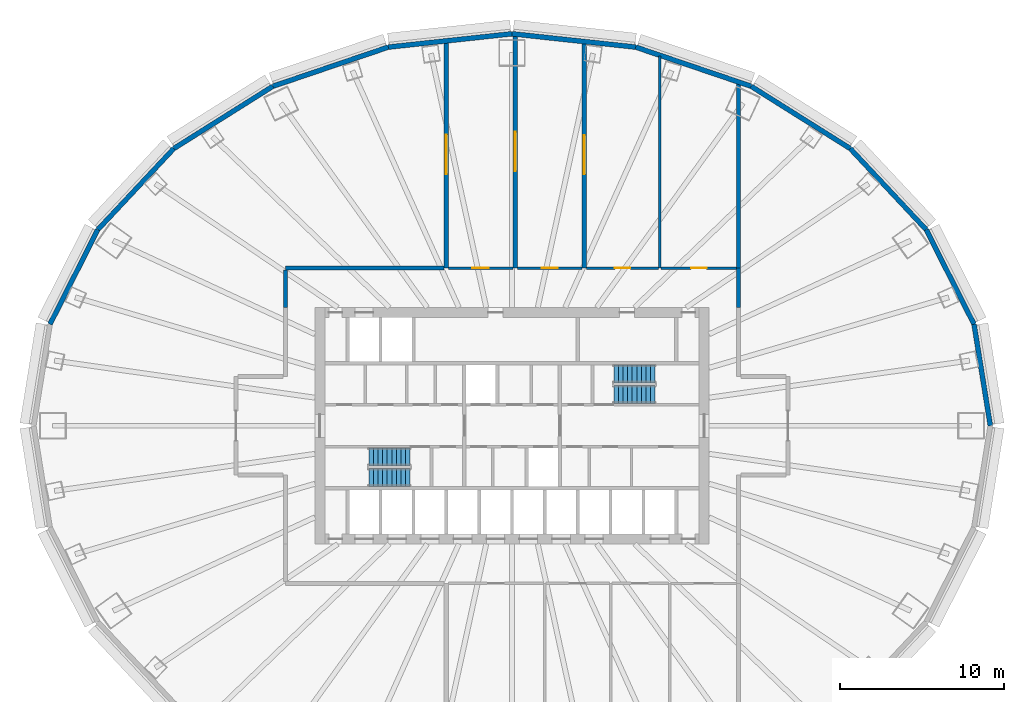
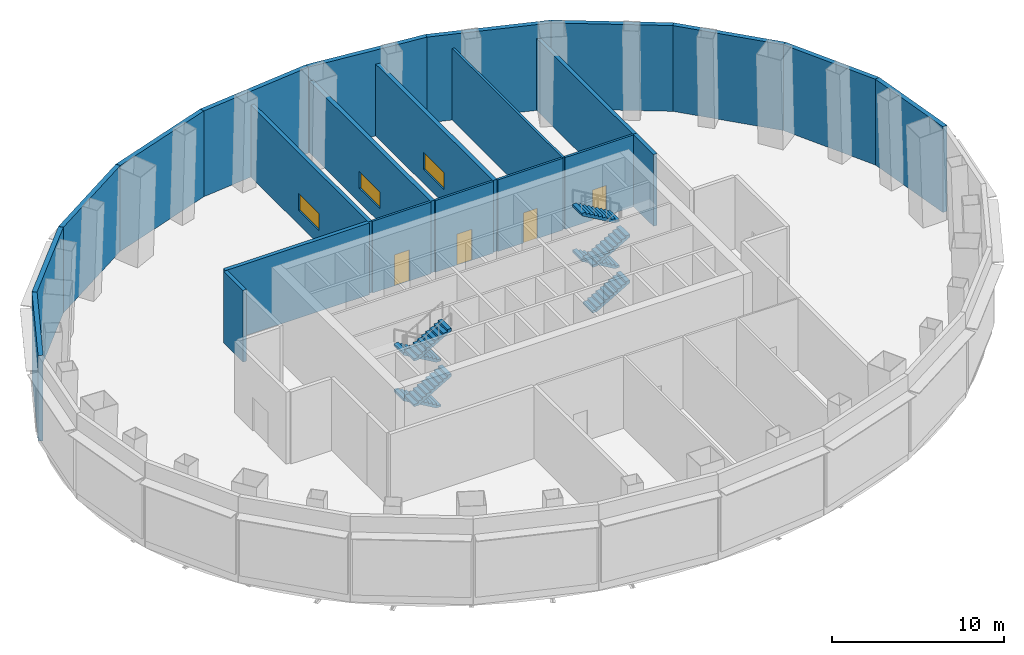
# One storey, part 5 of 9: 23 walls, 8 stair flights, 4 doors, 3 windows, 7 openings, 2 elements without a shape of their own.
"""IFC4 building model written with IfcOpenShell, lengths in metres."""

from ifc_helpers import new_model, si_unit, direction, frame, frame_2d, origin, place, context, subcontext, project, spatial, polyline, rectangle, outline, extrude, material, layer, layer_set, type_object, element, fill, aggregate, save


model = new_model("IFC4")

# Units and contexts
model_context = context("Model", 3, precision=1e-05, world=origin(), true_north=direction((0.0, 1.0)))
body_context = subcontext(model_context, "Body", "Model", "MODEL_VIEW")
ifc_project = project(units=[si_unit("LENGTHUNIT", "METRE"), si_unit("AREAUNIT", "SQUARE_METRE"), si_unit("VOLUMEUNIT", "CUBIC_METRE"), si_unit("PLANEANGLEUNIT", "RADIAN"), si_unit("MASSUNIT", "GRAM", prefix="KILO")], contexts=[model_context])

# Site, building, storey
site_placement = place(None, origin())
site = spatial("IfcSite", under=ifc_project, at=site_placement, CompositionType="ELEMENT")
building_placement = place(site_placement, origin())
building = spatial("IfcBuilding", under=site, at=building_placement, Name="Siaravel Broadcast Tower", CompositionType="ELEMENT")
storey_placement = place(building_placement, frame((0.0, 0.0, 13.5)))
storey = spatial("IfcBuildingStorey", under=building, at=storey_placement, Name="L02", CompositionType="ELEMENT", Elevation=13.5)

# Wall, opening, window
ifc_material_1 = material(Name="Double-leaf acoustic partition", Category="gypsum")
ifc_layer_1 = layer(ifc_material_1, 0.280029296875)
ifc_layer_set_1 = layer_set([ifc_layer_1], Name="Double-leaf acoustic partition")
wall_type_1 = type_object("IfcWallType", Name="Acoustic double-leaf wall 280", PredefinedType="PARTITIONING", material=ifc_layer_set_1)
wall_1_placement = place(storey_placement, frame((0.199951171875, 9.60009765625, 0.0), z_axis=(0.0, 0.0, 1.0), x_axis=(0.0, 1.0, 0.0)))
wall_1 = element("IfcWall", 1, at=wall_1_placement, inside=storey, type_object=wall_type_1, Name="L02 partition 1", PredefinedType="PARTITIONING", context=body_context, shape_type="SweptSolid", body=[
    extrude(rectangle(XDim=14.194091796875, YDim=0.280029296875, at=frame_2d((7.09716796875, 0.0))), origin(), (0.0, 0.0, 1.0), 5.10009765625),
])
opening_1_placement = place(wall_1_placement, frame((5.897216796875, 0.0, 1.0)))
opening_1 = element("IfcOpeningElement", 2, at=opening_1_placement, cuts=wall_1, Name="Opening L02-W01", PredefinedType="OPENING", context=body_context, shape_type="SweptSolid", body=[
    extrude(rectangle(XDim=2.39990234375, YDim=1.199951171875, at=frame_2d((1.199951171875, 0.60009765625))), frame((0.0, 0.14990234375, 0.0), z_axis=(0.0, -1.0, 0.0), x_axis=(1.0, 0.0, 0.0)), (0.0, 0.0, 1.0), 0.300048828125),
])
ifc_material_2 = material(Name="Laminated acoustic glass", Category="glass")
window_type = type_object("IfcWindowType", Name="Control room window 2400", PartitioningType="DOUBLE_PANEL_VERTICAL", PredefinedType="WINDOW", material=ifc_material_2)
window_1_placement = place(opening_1_placement, origin())
window_1 = element("IfcWindow", 3, at=window_1_placement, inside=storey, type_object=window_type, Name="L02 observation window 1", OverallHeight=1.199951171875, OverallWidth=2.39990234375, PartitioningType="SINGLE_PANEL", PredefinedType="WINDOW", context=body_context, shape_type="SweptSolid", body=[
    extrude(rectangle(XDim=2.39990234375, YDim=1.199951171875, at=frame_2d((1.199951171875, 0.60009765625))), frame((0.0, 0.030029296875, 0.0), z_axis=(0.0, -1.0, 0.0), x_axis=(1.0, 0.0, 0.0)), (0.0, 0.0, 1.0), 0.06005859375),
])
fill(opening_1, window_1)

wall_2_placement = place(storey_placement, frame((4.39990234375, 9.60009765625, 0.0), z_axis=(0.0, 0.0, 1.0), x_axis=(0.0, 1.0, 0.0)))
wall_2 = element("IfcWall", 4, at=wall_2_placement, inside=storey, type_object=wall_type_1, Name="L02 partition 5", PredefinedType="PARTITIONING", context=body_context, shape_type="SweptSolid", body=[
    extrude(rectangle(XDim=13.80322265625, YDim=0.280029296875, at=frame_2d((6.901611328125, 0.0))), origin(), (0.0, 0.0, 1.0), 5.10009765625),
])
opening_2_placement = place(wall_2_placement, frame((5.70166015625, 0.0, 1.0)))
opening_2 = element("IfcOpeningElement", 5, at=opening_2_placement, cuts=wall_2, Name="Opening L02-W03", PredefinedType="OPENING", context=body_context, shape_type="SweptSolid", body=[
    extrude(rectangle(XDim=2.39990234375, YDim=1.199951171875, at=frame_2d((1.199951171875, 0.60009765625))), frame((0.0, 0.14990234375, 0.0), z_axis=(0.0, -1.0, 0.0), x_axis=(1.0, 0.0, 0.0)), (0.0, 0.0, 1.0), 0.300048828125),
])
window_2_placement = place(opening_2_placement, origin())
window_2 = element("IfcWindow", 6, at=window_2_placement, inside=storey, type_object=window_type, Name="L02 observation window 3", OverallHeight=1.199951171875, OverallWidth=2.39990234375, PartitioningType="SINGLE_PANEL", PredefinedType="WINDOW", context=body_context, shape_type="SweptSolid", body=[
    extrude(rectangle(XDim=2.39990234375, YDim=1.199951171875, at=frame_2d((1.199951171875, 0.60009765625))), frame((0.0, 0.030029296875, 0.0), z_axis=(0.0, -1.0, 0.0), x_axis=(1.0, 0.0, 0.0)), (0.0, 0.0, 1.0), 0.06005859375),
])
fill(opening_2, window_2)

# Walls
ifc_material_3 = material(Name="Concrete C40/50", Category="concrete")
ifc_layer_2 = layer(ifc_material_3, 0.300048828125)
ifc_layer_set_2 = layer_set([ifc_layer_2], Name="Concrete C40/50")
wall_type_2 = type_object("IfcWallType", Name="Acoustic studio wall", PredefinedType="STANDARD", material=ifc_layer_set_2)
wall_3_placement = place(storey_placement, frame((29.125, 0.0, 0.0), z_axis=(0.0, 0.0, 1.0), x_axis=(-0.158684207, 0.987329389, 0.0)))
element("IfcWall", 7, at=wall_3_placement, inside=storey, type_object=wall_type_2, Name="L02 studio acoustic wall 01", PredefinedType="STANDARD", context=body_context, shape_type="SweptSolid", body=[
    extrude(rectangle(XDim=6.2587890625, YDim=0.300048828125, at=frame_2d((3.12939453125, 0.0))), origin(), (0.0, 0.0, 1.0), 6.10009765625),
])
wall_4_placement = place(storey_placement, frame((28.1318359375, 6.179443359375, 0.0), z_axis=(0.0, 0.0, 1.0), x_axis=(-0.45123552, 0.8924049, 0.0)))
element("IfcWall", 8, at=wall_4_placement, inside=storey, type_object=wall_type_2, Name="L02 studio acoustic wall 02", PredefinedType="STANDARD", context=body_context, shape_type="SweptSolid", body=[
    extrude(rectangle(XDim=6.451416015625, YDim=0.300048828125, at=frame_2d((3.2255859375, 0.0))), origin(), (0.0, 0.0, 1.0), 6.10009765625),
])
wall_5_placement = place(storey_placement, frame((25.220703125, 11.936767578125, 0.0), z_axis=(0.0, 0.0, 1.0), x_axis=(-0.683676058, 0.729785617, 0.0)))
element("IfcWall", 9, at=wall_5_placement, inside=storey, type_object=wall_type_2, Name="L02 studio acoustic wall 03", PredefinedType="STANDARD", context=body_context, shape_type="SweptSolid", body=[
    extrude(rectangle(XDim=6.77197265625, YDim=0.300048828125, at=frame_2d((3.385986328125, 0.0))), origin(), (0.0, 0.0, 1.0), 6.10009765625),
])
wall_6_placement = place(storey_placement, frame((20.5908203125, 16.87890625, 0.0), z_axis=(0.0, 0.0, 1.0), x_axis=(-0.846653753, 0.532144175, 0.0)))
element("IfcWall", 10, at=wall_6_placement, inside=storey, type_object=wall_type_2, Name="L02 studio acoustic wall 04", PredefinedType="STANDARD", context=body_context, shape_type="SweptSolid", body=[
    extrude(rectangle(XDim=7.12451171875, YDim=0.300048828125, at=frame_2d((3.562255859375, 0.0))), origin(), (0.0, 0.0, 1.0), 6.10009765625),
])
wall_7_placement = place(storey_placement, frame((14.558837890625, 20.670166015625, 0.0), z_axis=(0.0, 0.0, 1.0), x_axis=(-0.946977627, 0.321299508, 0.0)))
element("IfcWall", 11, at=wall_7_placement, inside=storey, type_object=wall_type_2, Name="L02 studio acoustic wall 05", PredefinedType="STANDARD", context=body_context, shape_type="SweptSolid", body=[
    extrude(rectangle(XDim=7.416259765625, YDim=0.300048828125, at=frame_2d((3.7080078125, 0.0))), origin(), (0.0, 0.0, 1.0), 6.10009765625),
])
for number, where, z_axis, x_axis, name in (
    (12, (7.535888671875, 23.052978515625, 0.0), (0.0, 0.0, 1.0), (-0.994234458, 0.107227995, 0.0), "L02 studio acoustic wall 06"),
    (13, (0.0, 23.86572265625, 0.0), (0.0, 0.0, 1.0), (-0.994234458, -0.107227995, 0.0), "L02 studio acoustic wall 07"),
):
    element("IfcWall", number, at=place(storey_placement, frame(where, z_axis=z_axis, x_axis=x_axis)), inside=storey, type_object=wall_type_2, Name=name, PredefinedType="STANDARD", context=body_context, shape_type="SweptSolid", body=[
        extrude(rectangle(XDim=7.57958984375, YDim=0.300048828125, at=frame_2d((3.789794921875, 0.0))), origin(), (0.0, 0.0, 1.0), 6.10009765625),
    ])
wall_8_placement = place(storey_placement, frame((-7.535888671875, 23.052978515625, 0.0), z_axis=(0.0, 0.0, 1.0), x_axis=(-0.946977627, -0.321299508, 0.0)))
element("IfcWall", 14, at=wall_8_placement, inside=storey, type_object=wall_type_2, Name="L02 studio acoustic wall 08", PredefinedType="STANDARD", context=body_context, shape_type="SweptSolid", body=[
    extrude(rectangle(XDim=7.416259765625, YDim=0.300048828125, at=frame_2d((3.7080078125, 0.0))), origin(), (0.0, 0.0, 1.0), 6.10009765625),
])
wall_9_placement = place(storey_placement, frame((-14.558837890625, 20.670166015625, 0.0), z_axis=(0.0, 0.0, 1.0), x_axis=(-0.846653753, -0.532144175, 0.0)))
element("IfcWall", 15, at=wall_9_placement, inside=storey, type_object=wall_type_2, Name="L02 studio acoustic wall 09", PredefinedType="STANDARD", context=body_context, shape_type="SweptSolid", body=[
    extrude(rectangle(XDim=7.12451171875, YDim=0.300048828125, at=frame_2d((3.562255859375, 0.0))), origin(), (0.0, 0.0, 1.0), 6.10009765625),
])
wall_10_placement = place(storey_placement, frame((-20.5908203125, 16.87890625, 0.0), z_axis=(0.0, 0.0, 1.0), x_axis=(-0.683676058, -0.729785617, 0.0)))
element("IfcWall", 16, at=wall_10_placement, inside=storey, type_object=wall_type_2, Name="L02 studio acoustic wall 10", PredefinedType="STANDARD", context=body_context, shape_type="SweptSolid", body=[
    extrude(rectangle(XDim=6.77197265625, YDim=0.300048828125, at=frame_2d((3.385986328125, 0.0))), origin(), (0.0, 0.0, 1.0), 6.10009765625),
])
wall_11_placement = place(storey_placement, frame((-25.220703125, 11.936767578125, 0.0), z_axis=(0.0, 0.0, 1.0), x_axis=(-0.45123552, -0.8924049, 0.0)))
element("IfcWall", 17, at=wall_11_placement, inside=storey, type_object=wall_type_2, Name="L02 studio acoustic wall 11", PredefinedType="STANDARD", context=body_context, shape_type="SweptSolid", body=[
    extrude(rectangle(XDim=6.451416015625, YDim=0.300048828125, at=frame_2d((3.2255859375, 0.0))), origin(), (0.0, 0.0, 1.0), 6.10009765625),
])

# Wall, opening, door
ifc_material_4 = material(Name="Gypsum board partition", Category="gypsum")
ifc_layer_3 = layer(ifc_material_4, 0.14990234375)
ifc_layer_set_3 = layer_set([ifc_layer_3], Name="Gypsum board partition")
wall_type_3 = type_object("IfcWallType", Name="Corridor wall 150", PredefinedType="PARTITIONING", material=ifc_layer_set_3)
wall_12_placement = place(storey_placement, frame((13.673095703125, 9.60009765625, 0.0), z_axis=(0.0, 0.0, 1.0), x_axis=(-1.0, 0.0, 0.0)))
wall_12 = element("IfcWall", 18, at=wall_12_placement, inside=storey, type_object=wall_type_3, Name="L02 partition 16", PredefinedType="PARTITIONING", context=body_context, shape_type="SweptSolid", body=[
    extrude(rectangle(XDim=4.59619140625, YDim=0.14990234375, at=frame_2d((2.298095703125, 0.0))), origin(), (0.0, 0.0, 1.0), 5.10009765625),
])
opening_3_placement = place(wall_12_placement, frame((1.822998046875, 0.0, 0.0)))
opening_3 = element("IfcOpeningElement", 19, at=opening_3_placement, cuts=wall_12, Name="Opening L02-004", PredefinedType="OPENING", context=body_context, shape_type="SweptSolid", body=[
    extrude(rectangle(XDim=0.949951171875, YDim=2.14990234375, at=frame_2d((0.47509765625, 1.074951171875))), frame((0.0, 0.0849609375, 0.0), z_axis=(0.0, -1.0, 0.0), x_axis=(1.0, 0.0, 0.0)), (0.0, 0.0, 1.0), 0.169921875),
])
ifc_material_5 = material(Name="Timber veneer", Category="wood")
door_type_1 = type_object("IfcDoorType", Name="Office door 950", OperationType="SINGLE_SWING_LEFT", PredefinedType="DOOR", material=ifc_material_5)
door_1_placement = place(opening_3_placement, origin())
door_1 = element("IfcDoor", 20, at=door_1_placement, inside=storey, type_object=door_type_1, Name="L02 door to Production office", OperationType="SINGLE_SWING_RIGHT", OverallHeight=2.14990234375, OverallWidth=0.949951171875, PredefinedType="DOOR", context=body_context, shape_type="SweptSolid", body=[
    extrude(rectangle(XDim=0.949951171875, YDim=2.14990234375, at=frame_2d((0.47509765625, 1.074951171875))), frame((0.0, 0.02490234375, 0.0), z_axis=(0.0, -1.0, 0.0), x_axis=(1.0, 0.0, 0.0)), (0.0, 0.0, 1.0), 0.050048828125),
])
fill(opening_3, door_1)

wall_13_placement = place(storey_placement, frame((8.923095703125, 9.60009765625, 0.0), z_axis=(0.0, 0.0, 1.0), x_axis=(-1.0, 0.0, 0.0)))
wall_13 = element("IfcWall", 21, at=wall_13_placement, inside=storey, type_object=wall_type_3, Name="L02 partition 17", PredefinedType="PARTITIONING", context=body_context, shape_type="SweptSolid", body=[
    extrude(rectangle(XDim=4.381103515625, YDim=0.14990234375, at=frame_2d((2.1904296875, 0.0))), origin(), (0.0, 0.0, 1.0), 5.10009765625),
])
opening_4_placement = place(wall_13_placement, frame((1.715576171875, 0.0, 0.0)))
opening_4 = element("IfcOpeningElement", 22, at=opening_4_placement, cuts=wall_13, Name="Opening L02-003", PredefinedType="OPENING", context=body_context, shape_type="SweptSolid", body=[
    extrude(rectangle(XDim=0.949951171875, YDim=2.14990234375, at=frame_2d((0.47509765625, 1.074951171875))), frame((0.0, 0.0849609375, 0.0), z_axis=(0.0, -1.0, 0.0), x_axis=(1.0, 0.0, 0.0)), (0.0, 0.0, 1.0), 0.169921875),
])
door_2_placement = place(opening_4_placement, origin())
door_2 = element("IfcDoor", 23, at=door_2_placement, inside=storey, type_object=door_type_1, Name="L02 door to Production office", OperationType="SINGLE_SWING_LEFT", OverallHeight=2.14990234375, OverallWidth=0.949951171875, PredefinedType="DOOR", context=body_context, shape_type="SweptSolid", body=[
    extrude(rectangle(XDim=0.949951171875, YDim=2.14990234375, at=frame_2d((0.47509765625, 1.074951171875))), frame((0.0, 0.02490234375, 0.0), z_axis=(0.0, -1.0, 0.0), x_axis=(1.0, 0.0, 0.0)), (0.0, 0.0, 1.0), 0.050048828125),
])
fill(opening_4, door_2)

wall_14_placement = place(storey_placement, frame((0.05810546875, 9.60009765625, 0.0), z_axis=(0.0, 0.0, 1.0), x_axis=(-1.0, 0.0, 0.0)))
wall_14 = element("IfcWall", 24, at=wall_14_placement, inside=storey, type_object=wall_type_3, Name="L02 partition 23", PredefinedType="PARTITIONING", context=body_context, shape_type="SweptSolid", body=[
    extrude(rectangle(XDim=3.93115234375, YDim=0.14990234375, at=frame_2d((1.965576171875, 0.0))), origin(), (0.0, 0.0, 1.0), 5.10009765625),
])
opening_5_placement = place(wall_14_placement, frame((1.465576171875, 0.0, 0.0)))
opening_5 = element("IfcOpeningElement", 25, at=opening_5_placement, cuts=wall_14, Name="Opening L02-001", PredefinedType="OPENING", context=body_context, shape_type="SweptSolid", body=[
    extrude(rectangle(XDim=1.0, YDim=2.199951171875, at=frame_2d((0.5, 1.10009765625))), frame((0.0, 0.0849609375, 0.0), z_axis=(0.0, -1.0, 0.0), x_axis=(1.0, 0.0, 0.0)), (0.0, 0.0, 1.0), 0.169921875),
])
ifc_material_6 = material(Name="Acoustic timber and steel", Category="steel")
door_type_2 = type_object("IfcDoorType", Name="Acoustic door 1000", OperationType="SINGLE_SWING_LEFT", PredefinedType="DOOR", material=ifc_material_6)
door_3_placement = place(opening_5_placement, origin())
door_3 = element("IfcDoor", 26, at=door_3_placement, inside=storey, type_object=door_type_2, Name="L02 door to Studio C control room", OperationType="SINGLE_SWING_LEFT", OverallHeight=2.199951171875, OverallWidth=1.0, PredefinedType="DOOR", context=body_context, shape_type="SweptSolid", body=[
    extrude(rectangle(XDim=1.0, YDim=2.199951171875, at=frame_2d((0.5, 1.10009765625))), frame((0.0, 0.02490234375, 0.0), z_axis=(0.0, -1.0, 0.0), x_axis=(1.0, 0.0, 0.0)), (0.0, 0.0, 1.0), 0.050048828125),
])
fill(opening_5, door_3)

wall_15_placement = place(storey_placement, frame((4.258056640625, 9.60009765625, 0.0), z_axis=(0.0, 0.0, 1.0), x_axis=(-1.0, 0.0, 0.0)))
wall_15 = element("IfcWall", 27, at=wall_15_placement, inside=storey, type_object=wall_type_3, Name="L02 partition 24", PredefinedType="PARTITIONING", context=body_context, shape_type="SweptSolid", body=[
    extrude(rectangle(XDim=3.916015625, YDim=0.14990234375, at=frame_2d((1.9580078125, 0.0))), origin(), (0.0, 0.0, 1.0), 5.10009765625),
])
opening_6_placement = place(wall_15_placement, frame((1.4580078125, 0.0, 0.0)))
opening_6 = element("IfcOpeningElement", 28, at=opening_6_placement, cuts=wall_15, Name="Opening L02-002", PredefinedType="OPENING", context=body_context, shape_type="SweptSolid", body=[
    extrude(rectangle(XDim=1.0, YDim=2.199951171875, at=frame_2d((0.5, 1.10009765625))), frame((0.0, 0.0849609375, 0.0), z_axis=(0.0, -1.0, 0.0), x_axis=(1.0, 0.0, 0.0)), (0.0, 0.0, 1.0), 0.169921875),
])
door_4_placement = place(opening_6_placement, origin())
door_4 = element("IfcDoor", 29, at=door_4_placement, inside=storey, type_object=door_type_2, Name="L02 door to Studio D control room", OperationType="SINGLE_SWING_RIGHT", OverallHeight=2.199951171875, OverallWidth=1.0, PredefinedType="DOOR", context=body_context, shape_type="SweptSolid", body=[
    extrude(rectangle(XDim=1.0, YDim=2.199951171875, at=frame_2d((0.5, 1.10009765625))), frame((0.0, 0.02490234375, 0.0), z_axis=(0.0, -1.0, 0.0), x_axis=(1.0, 0.0, 0.0)), (0.0, 0.0, 1.0), 0.050048828125),
])
fill(opening_6, door_4)

# Wall
ifc_layer_4 = layer(ifc_material_4, 0.14990234375)
ifc_layer_set_4 = layer_set([ifc_layer_4], Name="Gypsum board partition")
wall_type_4 = type_object("IfcWallType", Name="Room partition 150", PredefinedType="PARTITIONING", material=ifc_layer_set_4)
wall_16_placement = place(storey_placement, frame((9.0, 9.60009765625, 0.0), z_axis=(0.0, 0.0, 1.0), x_axis=(0.0, 1.0, 0.0)))
element("IfcWall", 30, at=wall_16_placement, inside=storey, type_object=wall_type_4, Name="L02 partition 7", PredefinedType="PARTITIONING", context=body_context, shape_type="SweptSolid", body=[
    extrude(rectangle(XDim=12.90625, YDim=0.14990234375, at=frame_2d((6.453125, 0.0))), origin(), (0.0, 0.0, 1.0), 5.10009765625),
])

# Wall, opening, window
ifc_material_7 = material(Name="Concrete blockwork", Category="masonry")
ifc_layer_5 = layer(ifc_material_7, 0.25)
ifc_layer_set_5 = layer_set([ifc_layer_5], Name="Concrete blockwork")
wall_type_5 = type_object("IfcWallType", Name="Studio wall 250", PredefinedType="PARTITIONING", material=ifc_layer_set_5)
wall_17_placement = place(storey_placement, frame((-4.0, 9.60009765625, 0.0), z_axis=(0.0, 0.0, 1.0), x_axis=(0.0, 1.0, 0.0)))
wall_17 = element("IfcWall", 31, at=wall_17_placement, inside=storey, type_object=wall_type_5, Name="L02 partition 4", PredefinedType="PARTITIONING", context=body_context, shape_type="SweptSolid", body=[
    extrude(rectangle(XDim=13.84619140625, YDim=0.25, at=frame_2d((6.923095703125, 0.0))), origin(), (0.0, 0.0, 1.0), 5.10009765625),
])
opening_7_placement = place(wall_17_placement, frame((5.72314453125, 0.0, 1.0)))
opening_7 = element("IfcOpeningElement", 32, at=opening_7_placement, cuts=wall_17, Name="Opening L02-W02", PredefinedType="OPENING", context=body_context, shape_type="SweptSolid", body=[
    extrude(rectangle(XDim=2.39990234375, YDim=1.199951171875, at=frame_2d((1.199951171875, 0.60009765625))), frame((0.0, 0.135009765625, 0.0), z_axis=(0.0, -1.0, 0.0), x_axis=(1.0, 0.0, 0.0)), (0.0, 0.0, 1.0), 0.27001953125),
])
window_3_placement = place(opening_7_placement, origin())
window_3 = element("IfcWindow", 33, at=window_3_placement, inside=storey, type_object=window_type, Name="L02 observation window 2", OverallHeight=1.199951171875, OverallWidth=2.39990234375, PartitioningType="SINGLE_PANEL", PredefinedType="WINDOW", context=body_context, shape_type="SweptSolid", body=[
    extrude(rectangle(XDim=2.39990234375, YDim=1.199951171875, at=frame_2d((1.199951171875, 0.60009765625))), frame((0.0, 0.030029296875, 0.0), z_axis=(0.0, -1.0, 0.0), x_axis=(1.0, 0.0, 0.0)), (0.0, 0.0, 1.0), 0.06005859375),
])
fill(opening_7, window_3)

# Walls
wall_18_placement = place(storey_placement, frame((13.800048828125, 20.877685546875, 0.0), z_axis=(0.0, 0.0, 1.0), x_axis=(0.0, -1.0, 0.0)))
element("IfcWall", 34, at=wall_18_placement, inside=storey, type_object=wall_type_5, Name="L02 partition 10", PredefinedType="PARTITIONING", context=body_context, shape_type="SweptSolid", body=[
    extrude(rectangle(XDim=11.277587890625, YDim=0.25, at=frame_2d((5.638671875, 0.0))), origin(), (0.0, 0.0, 1.0), 5.10009765625),
])
wall_19_placement = place(storey_placement, frame((-4.126953125, 9.60009765625, 0.0), z_axis=(0.0, 0.0, 1.0), x_axis=(-1.0, 0.0, 0.0)))
element("IfcWall", 35, at=wall_19_placement, inside=storey, type_object=wall_type_5, Name="L02 partition 12", PredefinedType="PARTITIONING", context=body_context, shape_type="SweptSolid", body=[
    extrude(rectangle(XDim=9.673095703125, YDim=0.25, at=frame_2d((4.83642578125, 0.0))), origin(), (0.0, 0.0, 1.0), 5.10009765625),
])
wall_20_placement = place(storey_placement, frame((13.800048828125, 7.212890625, 0.0), z_axis=(0.0, 0.0, 1.0), x_axis=(0.0, 1.0, 0.0)))
element("IfcWall", 36, at=wall_20_placement, inside=storey, type_object=wall_type_5, Name="L02 partition 32", PredefinedType="PARTITIONING", context=body_context, shape_type="SweptSolid", body=[
    extrude(rectangle(XDim=2.38623046875, YDim=0.25, at=frame_2d((1.193115234375, 0.0))), origin(), (0.0, 0.0, 1.0), 5.10009765625),
])
wall_21_placement = place(storey_placement, frame((-13.800048828125, 9.472900390625, 0.0), z_axis=(0.0, 0.0, 1.0), x_axis=(0.0, -1.0, 0.0)))
element("IfcWall", 37, at=wall_21_placement, inside=storey, type_object=wall_type_5, Name="L02 partition 34", PredefinedType="PARTITIONING", context=body_context, shape_type="SweptSolid", body=[
    extrude(rectangle(XDim=2.260009765625, YDim=0.25, at=frame_2d((1.1298828125, 0.0))), origin(), (0.0, 0.0, 1.0), 5.10009765625),
])

# Stair, stair flights
stair_type = type_object("IfcStairType", Name="Core exit stair", PredefinedType="HALF_TURN_STAIR", material=ifc_material_3)
stair_1_placement = place(storey_placement, origin())
stair_1 = element("IfcStair", 38, at=stair_1_placement, inside=storey, type_object=stair_type, Name="L02 Exit stair ST-1", PredefinedType="HALF_TURN_STAIR")
stair_flight_type = type_object("IfcStairFlightType", Name="Stair flight 1100", PredefinedType="STRAIGHT", material=ifc_material_3)
stair_flight_1_placement = place(storey_placement, frame((-6.199951171875, -1.89990234375, 0.0), z_axis=(0.0, 0.0, 1.0), x_axis=(-1.0, 0.0, 0.0)))
stair_flight_1 = element("IfcStairFlight", 39, at=stair_flight_1_placement, type_object=stair_flight_type, Name="ST-1 flight 1", NumberOfRisers=10, NumberOfTreads=9, PredefinedType="STRAIGHT", RiserHeight=0.1625, TreadLength=0.28, context=body_context, shape_type="SweptSolid", body=[
    extrude(outline(polyline([(0.0, 0.0), (0.0, 0.16259765625), (0.280029296875, 0.16259765625), (0.280029296875, 0.324951171875), (0.56005859375, 0.324951171875), (0.56005859375, 0.487548828125), (0.840087890625, 0.487548828125), (0.840087890625, 0.64990234375), (1.1201171875, 0.64990234375), (1.1201171875, 0.8125), (1.39990234375, 0.8125), (1.39990234375, 0.97509765625), (1.679931640625, 0.97509765625), (1.679931640625, 1.137451171875), (1.9599609375, 1.137451171875), (1.9599609375, 1.300048828125), (2.239990234375, 1.300048828125), (2.239990234375, 1.46240234375), (2.52001953125, 1.46240234375), (2.52001953125, 1.625), (2.52001953125, 1.2890625), (0.298583984375, 0.0), (0.0, 0.0)])), frame((0.0, 0.550048828125, 0.0), z_axis=(0.0, -1.0, 0.0), x_axis=(1.0, 0.0, 0.0)), (0.0, 0.0, 1.0), 1.10009765625),
])
stair_flight_2_placement = place(storey_placement, frame((-8.719970703125, -3.14990234375, 1.625), z_axis=(0.0, 0.0, 1.0), x_axis=(1.0, 0.0, 0.0)))
stair_flight_2 = element("IfcStairFlight", 40, at=stair_flight_2_placement, type_object=stair_flight_type, Name="ST-1 flight 2", NumberOfRisers=10, NumberOfTreads=9, PredefinedType="STRAIGHT", RiserHeight=0.1625, TreadLength=0.28, context=body_context, shape_type="SweptSolid", body=[
    extrude(outline(polyline([(0.0, 0.0), (0.0, 0.16259765625), (0.280029296875, 0.16259765625), (0.280029296875, 0.324951171875), (0.56005859375, 0.324951171875), (0.56005859375, 0.487548828125), (0.840087890625, 0.487548828125), (0.840087890625, 0.64990234375), (1.1201171875, 0.64990234375), (1.1201171875, 0.8125), (1.39990234375, 0.8125), (1.39990234375, 0.97509765625), (1.679931640625, 0.97509765625), (1.679931640625, 1.137451171875), (1.9599609375, 1.137451171875), (1.9599609375, 1.300048828125), (2.239990234375, 1.300048828125), (2.239990234375, 1.46240234375), (2.52001953125, 1.46240234375), (2.52001953125, 1.625), (2.52001953125, 1.2890625), (0.298583984375, 0.0), (0.0, 0.0)])), frame((0.0, 0.550048828125, 0.0), z_axis=(0.0, -1.0, 0.0), x_axis=(1.0, 0.0, 0.0)), (0.0, 0.0, 1.0), 1.10009765625),
])
stair_flight_3_placement = place(storey_placement, frame((-6.199951171875, -1.89990234375, 3.25), z_axis=(0.0, 0.0, 1.0), x_axis=(-1.0, 0.0, 0.0)))
stair_flight_3 = element("IfcStairFlight", 41, at=stair_flight_3_placement, type_object=stair_flight_type, Name="ST-1 flight 3", NumberOfRisers=10, NumberOfTreads=9, PredefinedType="STRAIGHT", RiserHeight=0.1625, TreadLength=0.28, context=body_context, shape_type="SweptSolid", body=[
    extrude(outline(polyline([(0.0, 0.0), (0.0, 0.16259765625), (0.280029296875, 0.16259765625), (0.280029296875, 0.324951171875), (0.56005859375, 0.324951171875), (0.56005859375, 0.487548828125), (0.840087890625, 0.487548828125), (0.840087890625, 0.64990234375), (1.1201171875, 0.64990234375), (1.1201171875, 0.8125), (1.39990234375, 0.8125), (1.39990234375, 0.97509765625), (1.679931640625, 0.97509765625), (1.679931640625, 1.137451171875), (1.9599609375, 1.137451171875), (1.9599609375, 1.300048828125), (2.239990234375, 1.300048828125), (2.239990234375, 1.46240234375), (2.52001953125, 1.46240234375), (2.52001953125, 1.625), (2.52001953125, 1.2890625), (0.298583984375, 0.0), (0.0, 0.0)])), frame((0.0, 0.550048828125, 0.0), z_axis=(0.0, -1.0, 0.0), x_axis=(1.0, 0.0, 0.0)), (0.0, 0.0, 1.0), 1.10009765625),
])
stair_flight_4_placement = place(storey_placement, frame((-8.719970703125, -3.14990234375, 4.875), z_axis=(0.0, 0.0, 1.0), x_axis=(1.0, 0.0, 0.0)))
stair_flight_4 = element("IfcStairFlight", 42, at=stair_flight_4_placement, type_object=stair_flight_type, Name="ST-1 flight 4", NumberOfRisers=10, NumberOfTreads=9, PredefinedType="STRAIGHT", RiserHeight=0.1625, TreadLength=0.28, context=body_context, shape_type="SweptSolid", body=[
    extrude(outline(polyline([(0.0, 0.0), (0.0, 0.16259765625), (0.280029296875, 0.16259765625), (0.280029296875, 0.324951171875), (0.56005859375, 0.324951171875), (0.56005859375, 0.487548828125), (0.840087890625, 0.487548828125), (0.840087890625, 0.64990234375), (1.1201171875, 0.64990234375), (1.1201171875, 0.8125), (1.39990234375, 0.8125), (1.39990234375, 0.97509765625), (1.679931640625, 0.97509765625), (1.679931640625, 1.137451171875), (1.9599609375, 1.137451171875), (1.9599609375, 1.300048828125), (2.239990234375, 1.300048828125), (2.239990234375, 1.46240234375), (2.52001953125, 1.46240234375), (2.52001953125, 1.625), (2.52001953125, 1.2890625), (0.298583984375, 0.0), (0.0, 0.0)])), frame((0.0, 0.550048828125, 0.0), z_axis=(0.0, -1.0, 0.0), x_axis=(1.0, 0.0, 0.0)), (0.0, 0.0, 1.0), 1.10009765625),
])
aggregate(stair_1, [stair_flight_1, stair_flight_2, stair_flight_3, stair_flight_4])

stair_2_placement = place(storey_placement, origin())
stair_2 = element("IfcStair", 43, at=stair_2_placement, inside=storey, type_object=stair_type, Name="L02 Exit stair ST-2", PredefinedType="HALF_TURN_STAIR")
stair_flight_5_placement = place(storey_placement, frame((6.199951171875, 1.89990234375, 0.0), z_axis=(0.0, 0.0, 1.0), x_axis=(1.0, 0.0, 0.0)))
stair_flight_5 = element("IfcStairFlight", 44, at=stair_flight_5_placement, type_object=stair_flight_type, Name="ST-2 flight 1", NumberOfRisers=10, NumberOfTreads=9, PredefinedType="STRAIGHT", RiserHeight=0.1625, TreadLength=0.28, context=body_context, shape_type="SweptSolid", body=[
    extrude(outline(polyline([(0.0, 0.0), (0.0, 0.16259765625), (0.280029296875, 0.16259765625), (0.280029296875, 0.324951171875), (0.56005859375, 0.324951171875), (0.56005859375, 0.487548828125), (0.840087890625, 0.487548828125), (0.840087890625, 0.64990234375), (1.1201171875, 0.64990234375), (1.1201171875, 0.8125), (1.39990234375, 0.8125), (1.39990234375, 0.97509765625), (1.679931640625, 0.97509765625), (1.679931640625, 1.137451171875), (1.9599609375, 1.137451171875), (1.9599609375, 1.300048828125), (2.239990234375, 1.300048828125), (2.239990234375, 1.46240234375), (2.52001953125, 1.46240234375), (2.52001953125, 1.625), (2.52001953125, 1.2890625), (0.298583984375, 0.0), (0.0, 0.0)])), frame((0.0, 0.550048828125, 0.0), z_axis=(0.0, -1.0, 0.0), x_axis=(1.0, 0.0, 0.0)), (0.0, 0.0, 1.0), 1.10009765625),
])
stair_flight_6_placement = place(storey_placement, frame((8.719970703125, 3.14990234375, 1.625), z_axis=(0.0, 0.0, 1.0), x_axis=(-1.0, 0.0, 0.0)))
stair_flight_6 = element("IfcStairFlight", 45, at=stair_flight_6_placement, type_object=stair_flight_type, Name="ST-2 flight 2", NumberOfRisers=10, NumberOfTreads=9, PredefinedType="STRAIGHT", RiserHeight=0.1625, TreadLength=0.28, context=body_context, shape_type="SweptSolid", body=[
    extrude(outline(polyline([(0.0, 0.0), (0.0, 0.16259765625), (0.280029296875, 0.16259765625), (0.280029296875, 0.324951171875), (0.56005859375, 0.324951171875), (0.56005859375, 0.487548828125), (0.840087890625, 0.487548828125), (0.840087890625, 0.64990234375), (1.1201171875, 0.64990234375), (1.1201171875, 0.8125), (1.39990234375, 0.8125), (1.39990234375, 0.97509765625), (1.679931640625, 0.97509765625), (1.679931640625, 1.137451171875), (1.9599609375, 1.137451171875), (1.9599609375, 1.300048828125), (2.239990234375, 1.300048828125), (2.239990234375, 1.46240234375), (2.52001953125, 1.46240234375), (2.52001953125, 1.625), (2.52001953125, 1.2890625), (0.298583984375, 0.0), (0.0, 0.0)])), frame((0.0, 0.550048828125, 0.0), z_axis=(0.0, -1.0, 0.0), x_axis=(1.0, 0.0, 0.0)), (0.0, 0.0, 1.0), 1.10009765625),
])
stair_flight_7_placement = place(storey_placement, frame((6.199951171875, 1.89990234375, 3.25), z_axis=(0.0, 0.0, 1.0), x_axis=(1.0, 0.0, 0.0)))
stair_flight_7 = element("IfcStairFlight", 46, at=stair_flight_7_placement, type_object=stair_flight_type, Name="ST-2 flight 3", NumberOfRisers=10, NumberOfTreads=9, PredefinedType="STRAIGHT", RiserHeight=0.1625, TreadLength=0.28, context=body_context, shape_type="SweptSolid", body=[
    extrude(outline(polyline([(0.0, 0.0), (0.0, 0.16259765625), (0.280029296875, 0.16259765625), (0.280029296875, 0.324951171875), (0.56005859375, 0.324951171875), (0.56005859375, 0.487548828125), (0.840087890625, 0.487548828125), (0.840087890625, 0.64990234375), (1.1201171875, 0.64990234375), (1.1201171875, 0.8125), (1.39990234375, 0.8125), (1.39990234375, 0.97509765625), (1.679931640625, 0.97509765625), (1.679931640625, 1.137451171875), (1.9599609375, 1.137451171875), (1.9599609375, 1.300048828125), (2.239990234375, 1.300048828125), (2.239990234375, 1.46240234375), (2.52001953125, 1.46240234375), (2.52001953125, 1.625), (2.52001953125, 1.2890625), (0.298583984375, 0.0), (0.0, 0.0)])), frame((0.0, 0.550048828125, 0.0), z_axis=(0.0, -1.0, 0.0), x_axis=(1.0, 0.0, 0.0)), (0.0, 0.0, 1.0), 1.10009765625),
])
stair_flight_8_placement = place(storey_placement, frame((8.719970703125, 3.14990234375, 4.875), z_axis=(0.0, 0.0, 1.0), x_axis=(-1.0, 0.0, 0.0)))
stair_flight_8 = element("IfcStairFlight", 47, at=stair_flight_8_placement, type_object=stair_flight_type, Name="ST-2 flight 4", NumberOfRisers=10, NumberOfTreads=9, PredefinedType="STRAIGHT", RiserHeight=0.1625, TreadLength=0.28, context=body_context, shape_type="SweptSolid", body=[
    extrude(outline(polyline([(0.0, 0.0), (0.0, 0.16259765625), (0.280029296875, 0.16259765625), (0.280029296875, 0.324951171875), (0.56005859375, 0.324951171875), (0.56005859375, 0.487548828125), (0.840087890625, 0.487548828125), (0.840087890625, 0.64990234375), (1.1201171875, 0.64990234375), (1.1201171875, 0.8125), (1.39990234375, 0.8125), (1.39990234375, 0.97509765625), (1.679931640625, 0.97509765625), (1.679931640625, 1.137451171875), (1.9599609375, 1.137451171875), (1.9599609375, 1.300048828125), (2.239990234375, 1.300048828125), (2.239990234375, 1.46240234375), (2.52001953125, 1.46240234375), (2.52001953125, 1.625), (2.52001953125, 1.2890625), (0.298583984375, 0.0), (0.0, 0.0)])), frame((0.0, 0.550048828125, 0.0), z_axis=(0.0, -1.0, 0.0), x_axis=(1.0, 0.0, 0.0)), (0.0, 0.0, 1.0), 1.10009765625),
])
aggregate(stair_2, [stair_flight_5, stair_flight_6, stair_flight_7, stair_flight_8])

save(model, "model.ifc")
